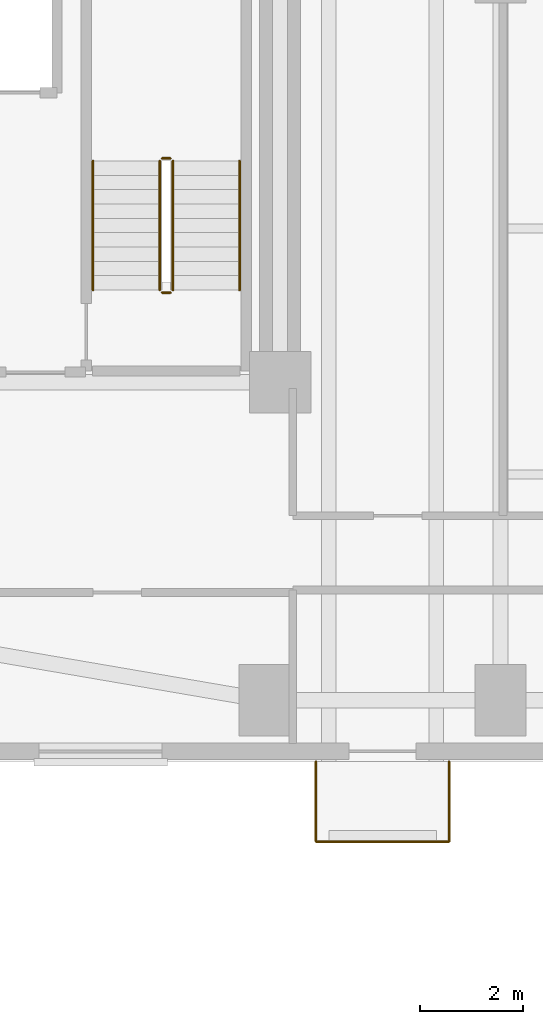
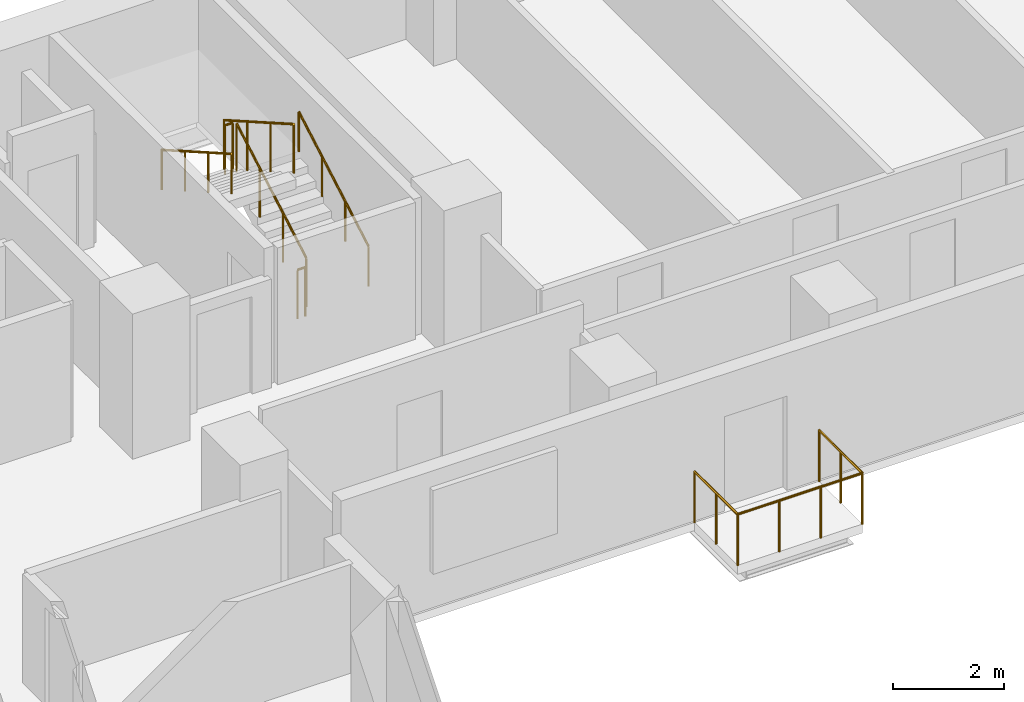
# One storey, part 15 of 17: 9 railings.
"""IFC4 building model written with IfcOpenShell, lengths in metres."""

from ifc_helpers import new_model, si_unit, direction, frame, origin, origin_2d, place, context, subcontext, project, spatial, circle, extrude, material, layer, layer_set, type_object, element, save


model = new_model("IFC4")

# Units and contexts
model_context = context("Model", 3, precision=1e-05, world=origin(), true_north=direction((0.0, 1.0)))
body_context = subcontext(model_context, "Body", "Model", "MODEL_VIEW")
ifc_project = project(units=[si_unit("LENGTHUNIT", "METRE"), si_unit("AREAUNIT", "SQUARE_METRE"), si_unit("VOLUMEUNIT", "CUBIC_METRE"), si_unit("PLANEANGLEUNIT", "RADIAN"), si_unit("MASSUNIT", "GRAM", prefix="KILO")], contexts=[model_context])

# Site, building, storey
site_placement = place(None, origin())
site = spatial("IfcSite", under=ifc_project, at=site_placement, CompositionType="ELEMENT")
building_placement = place(site_placement, origin())
building = spatial("IfcBuilding", under=site, at=building_placement, Name="Kuzgunbayir Cultural Tower", CompositionType="ELEMENT")
storey_placement = place(building_placement, frame((0.0, 0.0, 56.39990234375)))
storey = spatial("IfcBuildingStorey", under=building, at=storey_placement, Name="L15", CompositionType="ELEMENT", Elevation=56.39990234375)

# Railings
ifc_material_1 = material(Name="Laminated Glass and Stainless Steel", Category="steel")
ifc_layer_1 = layer(ifc_material_1, 0.080078125)
ifc_layer_set_1 = layer_set([ifc_layer_1], Name="Laminated Glass and Stainless Steel")
railing_type_1 = type_object("IfcRailingType", Name="RLG-BAL-115", PredefinedType="BALUSTRADE", material=ifc_layer_set_1)
railing_1_placement = place(storey_placement, frame((27.60009765625, 26.39990234375, 0.0)))
element("IfcRailing", 1, at=railing_1_placement, inside=storey, type_object=railing_type_1, Name="L15 Balcony Guard BAL-L15-WB1 Segment 1", PredefinedType="BALUSTRADE", context=body_context, shape_type="SweptSolid", body=[
    extrude(circle(Radius=0.02392578125, at=origin_2d()), frame((0.0, 0.0, 1.1259765625), z_axis=(0.0, -1.0, 0.0), x_axis=(1.0, 0.0, 0.0)), (0.0, 0.0, 1.0), 1.559814453125),
    extrude(circle(Radius=0.02099609375, at=origin_2d()), origin(), (0.0, 0.0, 1.0), 1.101806640625),
    extrude(circle(Radius=0.02099609375, at=origin_2d()), frame((0.0, -0.77978515625, 0.0)), (0.0, 0.0, 1.0), 1.101806640625),
    extrude(circle(Radius=0.02099609375, at=origin_2d()), frame((0.0, -1.559814453125, 0.0)), (0.0, 0.0, 1.0), 1.101806640625),
])
railing_2_placement = place(storey_placement, frame((27.60009765625, 24.840087890625, 0.0)))
element("IfcRailing", 2, at=railing_2_placement, inside=storey, type_object=railing_type_1, Name="L15 Balcony Guard BAL-L15-WB1 Segment 2", PredefinedType="BALUSTRADE", context=body_context, shape_type="SweptSolid", body=[
    extrude(circle(Radius=0.02392578125, at=origin_2d()), frame((0.0, 0.0, 1.1259765625), z_axis=(1.0, 0.0, 0.0), x_axis=(0.0, 1.0, 0.0)), (0.0, 0.0, 1.0), 2.599853515625),
    extrude(circle(Radius=0.02099609375, at=origin_2d()), origin(), (0.0, 0.0, 1.0), 1.101806640625),
    extrude(circle(Radius=0.02099609375, at=origin_2d()), frame((0.86669921875, 0.0, 0.0)), (0.0, 0.0, 1.0), 1.101806640625),
    extrude(circle(Radius=0.02099609375, at=origin_2d()), frame((1.733154296875, 0.0, 0.0)), (0.0, 0.0, 1.0), 1.101806640625),
    extrude(circle(Radius=0.02099609375, at=origin_2d()), frame((2.599853515625, 0.0, 0.0)), (0.0, 0.0, 1.0), 1.101806640625),
])
railing_3_placement = place(storey_placement, frame((30.199951171875, 24.840087890625, 0.0)))
element("IfcRailing", 3, at=railing_3_placement, inside=storey, type_object=railing_type_1, Name="L15 Balcony Guard BAL-L15-WB1 Segment 3", PredefinedType="BALUSTRADE", context=body_context, shape_type="SweptSolid", body=[
    extrude(circle(Radius=0.02392578125, at=origin_2d()), frame((0.0, 0.0, 1.1259765625), z_axis=(0.0, 1.0, 0.0), x_axis=(-1.0, 0.0, 0.0)), (0.0, 0.0, 1.0), 1.559814453125),
    extrude(circle(Radius=0.02099609375, at=origin_2d()), origin(), (0.0, 0.0, 1.0), 1.101806640625),
    extrude(circle(Radius=0.02099609375, at=origin_2d()), frame((0.0, 0.77978515625, 0.0)), (0.0, 0.0, 1.0), 1.101806640625),
    extrude(circle(Radius=0.02099609375, at=origin_2d()), frame((0.0, 1.559814453125, 0.0)), (0.0, 0.0, 1.0), 1.101806640625),
])
ifc_material_2 = material(Name="Brushed Stainless Steel", Category="steel")
ifc_layer_2 = layer(ifc_material_2, 0.050048828125)
ifc_layer_set_2 = layer_set([ifc_layer_2], Name="Brushed Stainless Steel")
railing_type_2 = type_object("IfcRailingType", Name="RLG-STAIR-HANDRAIL", PredefinedType="HANDRAIL", material=ifc_layer_set_2)
railing_4_placement = place(storey_placement, frame((26.110107421875, 35.60009765625, 0.16015625)))
element("IfcRailing", 4, at=railing_4_placement, inside=storey, type_object=railing_type_2, Name="L15 ST-2 stair handrail 1", PredefinedType="HANDRAIL", context=body_context, shape_type="SweptSolid", body=[
    extrude(circle(Radius=0.02392578125, at=origin_2d()), frame((0.0, 0.0, 0.8759765625), z_axis=(0.0, 0.868253494771, 0.496120820787), x_axis=(-1.0, 0.0, 0.0)), (0.0, 0.0, 1.0), 2.90234375),
    extrude(circle(Radius=0.02099609375, at=origin_2d()), origin(), (0.0, 0.0, 1.0), 0.851806640625),
    extrude(circle(Radius=0.02099609375, at=origin_2d()), frame((0.0, 0.840087890625, 0.47998046875)), (0.0, 0.0, 1.0), 0.851806640625),
    extrude(circle(Radius=0.02099609375, at=origin_2d()), frame((0.0, 1.679931640625, 0.9599609375)), (0.0, 0.0, 1.0), 0.851806640625),
    extrude(circle(Radius=0.02099609375, at=origin_2d()), frame((0.0, 2.52001953125, 1.43994140625)), (0.0, 0.0, 1.0), 0.851806640625),
])
railing_5_placement = place(storey_placement, frame((23.25, 38.1201171875, 1.760009765625)))
element("IfcRailing", 5, at=railing_5_placement, inside=storey, type_object=railing_type_2, Name="L15 ST-2 stair handrail 2", PredefinedType="HANDRAIL", context=body_context, shape_type="SweptSolid", body=[
    extrude(circle(Radius=0.02392578125, at=origin_2d()), frame((0.0, 0.0, 0.8759765625), z_axis=(0.0, -0.868217259934, 0.496184229447), x_axis=(1.0, 0.0, 0.0)), (0.0, 0.0, 1.0), 2.902587890625),
    extrude(circle(Radius=0.02099609375, at=origin_2d()), origin(), (0.0, 0.0, 1.0), 0.851806640625),
    extrude(circle(Radius=0.02099609375, at=origin_2d()), frame((0.0, -0.840087890625, 0.47998046875)), (0.0, 0.0, 1.0), 0.851806640625),
    extrude(circle(Radius=0.02099609375, at=origin_2d()), frame((0.0, -1.679931640625, 0.960205078125)), (0.0, 0.0, 1.0), 0.851806640625),
    extrude(circle(Radius=0.02099609375, at=origin_2d()), frame((0.0, -2.52001953125, 1.440185546875)), (0.0, 0.0, 1.0), 0.851806640625),
])
ifc_material_3 = material(Name="Painted Steel Balustrade", Category="steel")
ifc_layer_3 = layer(ifc_material_3, 0.06005859375)
ifc_layer_set_3 = layer_set([ifc_layer_3], Name="Painted Steel Balustrade")
railing_type_3 = type_object("IfcRailingType", Name="RLG-WELL-GUARD", PredefinedType="GUARDRAIL", material=ifc_layer_set_3)
railing_6_placement = place(storey_placement, frame((24.81005859375, 35.60009765625, 0.16015625)))
element("IfcRailing", 6, at=railing_6_placement, inside=storey, type_object=railing_type_3, Name="L15 ST-2 stair guard 1", PredefinedType="GUARDRAIL", context=body_context, shape_type="SweptSolid", body=[
    extrude(circle(Radius=0.02392578125, at=origin_2d()), frame((0.0, 0.0, 1.076171875), z_axis=(0.0, 0.868253494771, 0.496120820787), x_axis=(-1.0, 0.0, 0.0)), (0.0, 0.0, 1.0), 2.90234375),
    extrude(circle(Radius=0.02099609375, at=origin_2d()), origin(), (0.0, 0.0, 1.0), 1.052001953125),
    extrude(circle(Radius=0.02099609375, at=origin_2d()), frame((0.0, 0.840087890625, 0.47998046875)), (0.0, 0.0, 1.0), 1.052001953125),
    extrude(circle(Radius=0.02099609375, at=origin_2d()), frame((0.0, 1.679931640625, 0.9599609375)), (0.0, 0.0, 1.0), 1.052001953125),
    extrude(circle(Radius=0.02099609375, at=origin_2d()), frame((0.0, 2.52001953125, 1.43994140625)), (0.0, 0.0, 1.0), 1.052001953125),
])
railing_7_placement = place(storey_placement, frame((24.760009765625, 38.169921875, 1.60009765625)))
element("IfcRailing", 7, at=railing_7_placement, inside=storey, type_object=railing_type_3, Name="L15 ST-2 stair guard 2", PredefinedType="GUARDRAIL", context=body_context, shape_type="SweptSolid", body=[
    extrude(circle(Radius=0.02392578125, at=origin_2d()), frame((0.0, 0.0, 1.076171875), z_axis=(-1.0, 0.0, 0.0), x_axis=(0.0, -1.0, 0.0)), (0.0, 0.0, 1.0), 0.159912109375),
    extrude(circle(Radius=0.02099609375, at=origin_2d()), origin(), (0.0, 0.0, 1.0), 1.052001953125),
    extrude(circle(Radius=0.02099609375, at=origin_2d()), frame((-0.159912109375, 0.0, 0.0)), (0.0, 0.0, 1.0), 1.052001953125),
])
railing_8_placement = place(storey_placement, frame((24.550048828125, 38.1201171875, 1.760009765625)))
element("IfcRailing", 8, at=railing_8_placement, inside=storey, type_object=railing_type_3, Name="L15 ST-2 stair guard 3", PredefinedType="GUARDRAIL", context=body_context, shape_type="SweptSolid", body=[
    extrude(circle(Radius=0.02392578125, at=origin_2d()), frame((0.0, 0.0, 1.076171875), z_axis=(0.0, -0.868217259934, 0.496184229447), x_axis=(1.0, 0.0, 0.0)), (0.0, 0.0, 1.0), 2.902587890625),
    extrude(circle(Radius=0.02099609375, at=origin_2d()), origin(), (0.0, 0.0, 1.0), 1.052001953125),
    extrude(circle(Radius=0.02099609375, at=origin_2d()), frame((0.0, -0.840087890625, 0.47998046875)), (0.0, 0.0, 1.0), 1.052001953125),
    extrude(circle(Radius=0.02099609375, at=origin_2d()), frame((0.0, -1.679931640625, 0.960205078125)), (0.0, 0.0, 1.0), 1.052001953125),
    extrude(circle(Radius=0.02099609375, at=origin_2d()), frame((0.0, -2.52001953125, 1.440185546875)), (0.0, 0.0, 1.0), 1.052001953125),
])
railing_9_placement = place(storey_placement, frame((24.760009765625, 35.550048828125, 0.0)))
element("IfcRailing", 9, at=railing_9_placement, inside=storey, type_object=railing_type_3, Name="L15 ST-2 stair guard 4", PredefinedType="GUARDRAIL", context=body_context, shape_type="SweptSolid", body=[
    extrude(circle(Radius=0.02392578125, at=origin_2d()), frame((0.0, 0.0, 1.076171875), z_axis=(-1.0, 0.0, 0.0), x_axis=(0.0, -1.0, 0.0)), (0.0, 0.0, 1.0), 0.159912109375),
    extrude(circle(Radius=0.02099609375, at=origin_2d()), origin(), (0.0, 0.0, 1.0), 1.052001953125),
    extrude(circle(Radius=0.02099609375, at=origin_2d()), frame((-0.159912109375, 0.0, 0.0)), (0.0, 0.0, 1.0), 1.052001953125),
])

save(model, "model.ifc")
